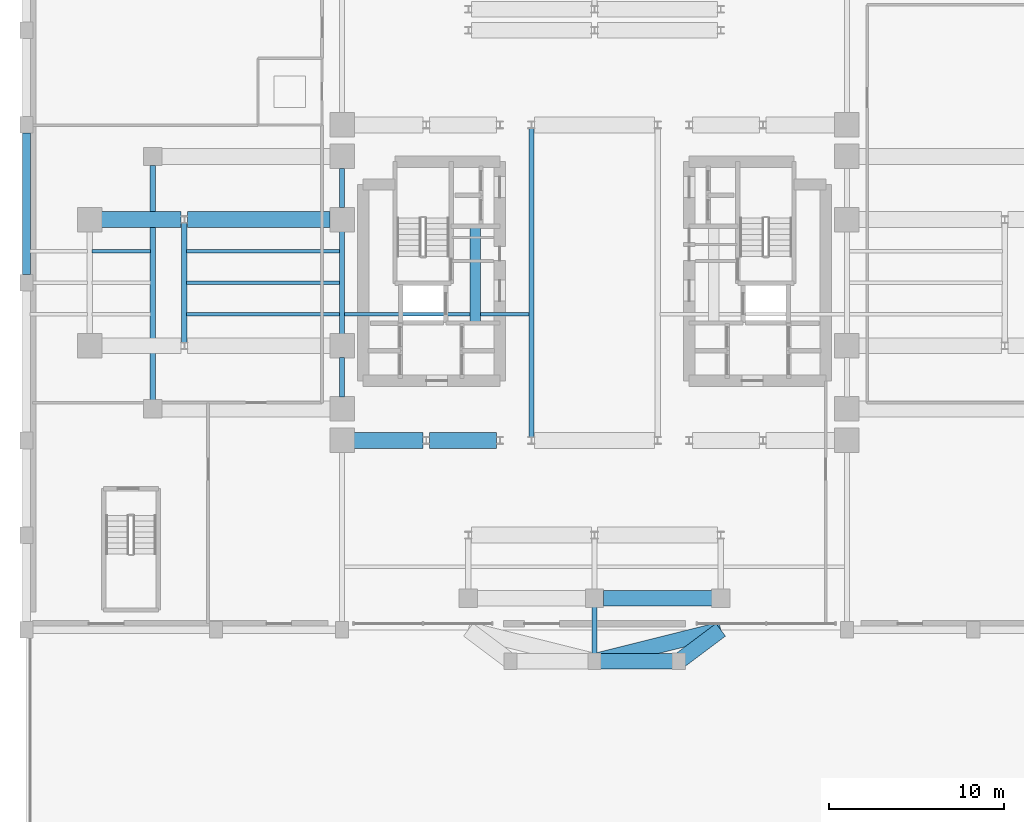
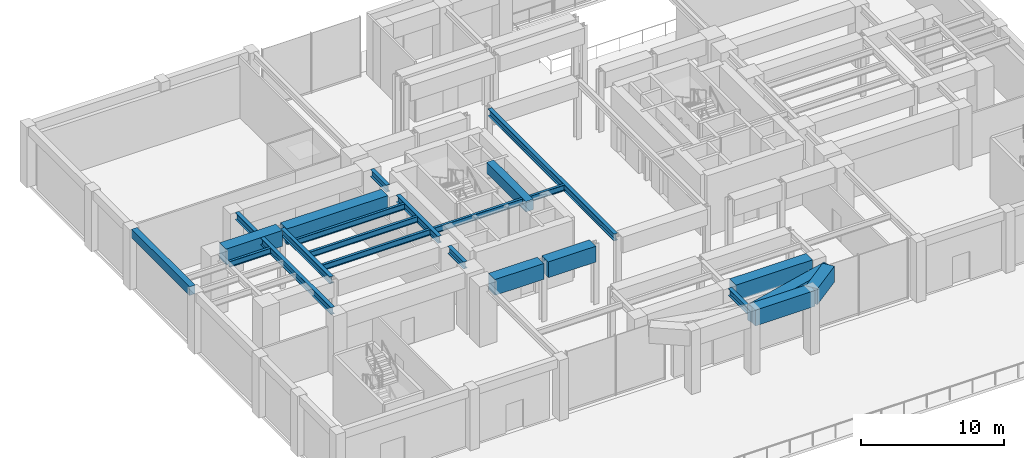
# One storey, part 5 of 17: 22 beams.
"""IFC4 building model written with IfcOpenShell, lengths in metres."""

from ifc_helpers import new_model, si_unit, direction, frame, origin, origin_2d, place, context, subcontext, project, spatial, rectangle, i_section, extrude, source, transform, mapped, material, material_profile, profile_set, type_object, element, save


model = new_model("IFC4")

# Units and contexts
model_context = context("Model", 3, precision=1e-05, world=origin(), true_north=direction((0.0, 1.0)))
body_context = subcontext(model_context, "Body", "Model", "MODEL_VIEW")
ifc_project = project(units=[si_unit("LENGTHUNIT", "METRE"), si_unit("AREAUNIT", "SQUARE_METRE"), si_unit("VOLUMEUNIT", "CUBIC_METRE"), si_unit("PLANEANGLEUNIT", "RADIAN"), si_unit("MASSUNIT", "GRAM", prefix="KILO")], contexts=[model_context])

# Site, building, storey
site_placement = place(None, origin())
site = spatial("IfcSite", under=ifc_project, at=site_placement, CompositionType="ELEMENT")
building_placement = place(site_placement, origin())
building = spatial("IfcBuilding", under=site, at=building_placement, Name="Keilestroom Media Tower", CompositionType="ELEMENT")
storey_placement = place(building_placement, origin())
storey = spatial("IfcBuildingStorey", under=building, at=storey_placement, Name="L00", CompositionType="ELEMENT", Elevation=0.0)

# Beams
ifc_material_1 = material(Name="Concrete C55/67", Category="concrete")
ifc_material_profile_1 = material_profile(ifc_material_1, rectangle(XDim=0.89990234375, YDim=1.35009765625, at=origin_2d()), Name="RC 900x1350")
ifc_profile_set_1 = profile_set([ifc_material_profile_1], Name="Concrete C55/67")
beam_type_1 = type_object("IfcBeamType", Name="Primary-Structural-Girder-RC-900x1350", PredefinedType="BEAM", material=ifc_profile_set_1)
shared_shape_1 = source(origin(), body_context, "Body", "SweptSolid", [
    extrude(rectangle(XDim=0.89990234375, YDim=1.35009765625, at=origin_2d()), origin(), (0.0, 0.0, 1.0), 3.0),
])
beam_1_placement = place(storey_placement, frame((4.800048828125, -21.60009765625, 4.705078125), z_axis=(0.799980468008, 0.600026041773, 0.0), x_axis=(-0.600026041773, 0.799980468008, 0.0)))
element("IfcBeam", 1, at=beam_1_placement, inside=storey, type_object=beam_type_1, Name="L00 South-Lobe Podium Tie Girder 4", PredefinedType="BEAM", context=body_context, shape_type="MappedRepresentation", body=[
    mapped(shared_shape_1, transform((0.0, 0.0, 0.0), x_axis=(1.0, 0.0, 0.0), y_axis=(0.0, 1.0, 0.0), z_axis=(0.0, 0.0, 1.0), scale=1.0)),
])
shared_shape_2 = source(origin(), body_context, "Body", "SweptSolid", [
    extrude(rectangle(XDim=0.89990234375, YDim=1.35009765625, at=origin_2d()), origin(), (0.0, 0.0, 1.0), 7.421630859375),
])
beam_2_placement = place(storey_placement, frame((0.0, -21.60009765625, 4.705078125), z_axis=(0.970140565046, 0.242543365301, 0.0), x_axis=(-0.242543365301, 0.970140565046, 0.0)))
element("IfcBeam", 2, at=beam_2_placement, inside=storey, type_object=beam_type_1, Name="L00 South-Lobe Podium Tie Girder 3", PredefinedType="BEAM", context=body_context, shape_type="MappedRepresentation", body=[
    mapped(shared_shape_2, transform((0.0, 0.0, 0.0), x_axis=(1.0, 0.0, 0.0), y_axis=(0.0, 1.0, 0.0), z_axis=(0.0, 0.0, 1.0), scale=1.0)),
])
shared_shape_3 = source(origin(), body_context, "Body", "SweptSolid", [
    extrude(rectangle(XDim=0.89990234375, YDim=1.35009765625, at=origin_2d()), origin(), (0.0, 0.0, 1.0), 4.800048828125),
])
beam_3_placement = place(storey_placement, frame((0.0, -21.60009765625, 4.705078125), z_axis=(1.0, 0.0, 0.0), x_axis=(0.0, 1.0, 0.0)))
element("IfcBeam", 3, at=beam_3_placement, inside=storey, type_object=beam_type_1, Name="L00 South-Lobe Transverse Tie Girder E", PredefinedType="BEAM", context=body_context, shape_type="MappedRepresentation", body=[
    mapped(shared_shape_3, transform((0.0, 0.0, 0.0), x_axis=(1.0, 0.0, 0.0), y_axis=(0.0, 1.0, 0.0), z_axis=(0.0, 0.0, 1.0), scale=1.0)),
])
ifc_material_2 = material(Name="Concrete C70/85", Category="concrete")
ifc_material_profile_2 = material_profile(ifc_material_2, rectangle(XDim=0.60009765625, YDim=0.89990234375, at=origin_2d()), Name="RC 600x900")
ifc_profile_set_2 = profile_set([ifc_material_profile_2], Name="Concrete C70/85")
beam_type_2 = type_object("IfcBeamType", Name="Core-Coupling-Lintel-Beam-RC-600x900", PredefinedType="LINTEL", material=ifc_profile_set_2)
shared_shape_4 = source(origin(), body_context, "Body", "SweptSolid", [
    extrude(rectangle(XDim=0.60009765625, YDim=0.89990234375, at=origin_2d()), origin(), (0.0, 0.0, 1.0), 5.52001953125),
])
beam_4_placement = place(storey_placement, frame((-6.800048828125, -2.300048828125, 4.699951171875), z_axis=(0.0, 1.0, 0.0), x_axis=(-1.0, 0.0, 0.0)))
element("IfcBeam", 4, at=beam_4_placement, inside=storey, type_object=beam_type_2, Name="L00 Beam CLB-1 CLB-L00-W", PredefinedType="LINTEL", context=body_context, shape_type="MappedRepresentation", body=[
    mapped(shared_shape_4, transform((0.0, 0.0, 0.0), x_axis=(1.0, 0.0, 0.0), y_axis=(0.0, 1.0, 0.0), z_axis=(0.0, 0.0, 1.0), scale=1.0)),
])
shared_shape_5 = source(origin(), body_context, "Body", "SweptSolid", [
    extrude(rectangle(XDim=0.89990234375, YDim=1.35009765625, at=origin_2d()), origin(), (0.0, 0.0, 1.0), 6.190185546875),
])
beam_5_placement = place(storey_placement, frame((0.5048828125, -18.0, 4.47509765625), z_axis=(1.0, 0.0, 0.0), x_axis=(0.0, 1.0, 0.0)))
element("IfcBeam", 5, at=beam_5_placement, inside=storey, type_object=beam_type_1, Name="L00 Beam TG-2 BM-L00-EW-006", PredefinedType="BEAM", context=body_context, shape_type="MappedRepresentation", body=[
    mapped(shared_shape_5, transform((0.0, 0.0, 0.0), x_axis=(1.0, 0.0, 0.0), y_axis=(0.0, 1.0, 0.0), z_axis=(0.0, 0.0, 1.0), scale=1.0)),
])
shared_shape_6 = source(origin(), body_context, "Body", "SweptSolid", [
    extrude(rectangle(XDim=0.89990234375, YDim=1.35009765625, at=origin_2d()), origin(), (0.0, 0.0, 1.0), 3.93701171875),
])
beam_6_placement = place(storey_placement, frame((-13.719970703125, -9.0, 4.47509765625), z_axis=(1.0, 0.0, 0.0), x_axis=(0.0, 1.0, 0.0)))
element("IfcBeam", 6, at=beam_6_placement, inside=storey, type_object=beam_type_1, Name="L00 Beam TG-2 BM-L00-EW-009", PredefinedType="BEAM", context=body_context, shape_type="MappedRepresentation", body=[
    mapped(shared_shape_6, transform((0.0, 0.0, 0.0), x_axis=(1.0, 0.0, 0.0), y_axis=(0.0, 1.0, 0.0), z_axis=(0.0, 0.0, 1.0), scale=1.0)),
])
shared_shape_7 = source(origin(), body_context, "Body", "SweptSolid", [
    extrude(rectangle(XDim=0.89990234375, YDim=1.35009765625, at=origin_2d()), origin(), (0.0, 0.0, 1.0), 3.833984375),
])
beam_7_placement = place(storey_placement, frame((-9.4169921875, -9.0, 4.47509765625), z_axis=(1.0, 0.0, 0.0), x_axis=(0.0, 1.0, 0.0)))
element("IfcBeam", 7, at=beam_7_placement, inside=storey, type_object=beam_type_1, Name="L00 Beam TG-2 BM-L00-EW-010", PredefinedType="BEAM", context=body_context, shape_type="MappedRepresentation", body=[
    mapped(shared_shape_7, transform((0.0, 0.0, 0.0), x_axis=(1.0, 0.0, 0.0), y_axis=(0.0, 1.0, 0.0), z_axis=(0.0, 0.0, 1.0), scale=1.0)),
])
shared_shape_8 = source(origin(), body_context, "Body", "SweptSolid", [
    extrude(rectangle(XDim=0.89990234375, YDim=1.35009765625, at=origin_2d()), origin(), (0.0, 0.0, 1.0), 4.537109375),
])
beam_8_placement = place(storey_placement, frame((-28.1201171875, 3.60009765625, 4.47509765625), z_axis=(1.0, 0.0, 0.0), x_axis=(0.0, 1.0, 0.0)))
element("IfcBeam", 8, at=beam_8_placement, inside=storey, type_object=beam_type_1, Name="L00 Beam TG-2 BM-L00-EW-022", PredefinedType="BEAM", context=body_context, shape_type="MappedRepresentation", body=[
    mapped(shared_shape_8, transform((0.0, 0.0, 0.0), x_axis=(1.0, 0.0, 0.0), y_axis=(0.0, 1.0, 0.0), z_axis=(0.0, 0.0, 1.0), scale=1.0)),
])
shared_shape_9 = source(origin(), body_context, "Body", "SweptSolid", [
    extrude(rectangle(XDim=0.89990234375, YDim=1.35009765625, at=origin_2d()), origin(), (0.0, 0.0, 1.0), 8.136962890625),
])
beam_9_placement = place(storey_placement, frame((-23.217041015625, 3.60009765625, 4.47509765625), z_axis=(1.0, 0.0, 0.0), x_axis=(0.0, 1.0, 0.0)))
element("IfcBeam", 9, at=beam_9_placement, inside=storey, type_object=beam_type_1, Name="L00 Beam TG-2 BM-L00-EW-023", PredefinedType="BEAM", context=body_context, shape_type="MappedRepresentation", body=[
    mapped(shared_shape_9, transform((0.0, 0.0, 0.0), x_axis=(1.0, 0.0, 0.0), y_axis=(0.0, 1.0, 0.0), z_axis=(0.0, 0.0, 1.0), scale=1.0)),
])
ifc_material_3 = material(Name="Precast concrete C40/50", Category="concrete")
ifc_material_profile_3 = material_profile(ifc_material_3, rectangle(XDim=0.449951171875, YDim=0.75, at=origin_2d()), Name="PC 450x750")
ifc_profile_set_3 = profile_set([ifc_material_profile_3], Name="Precast concrete C40/50")
beam_type_3 = type_object("IfcBeamType", Name="Perimeter-Spandrel-Beam-PC-450x750", PredefinedType="SPANDREL", material=ifc_profile_set_3)
shared_shape_10 = source(origin(), body_context, "Body", "SweptSolid", [
    extrude(rectangle(XDim=0.449951171875, YDim=0.75, at=origin_2d()), origin(), (0.0, 0.0, 1.0), 8.08984375),
])
beam_10_placement = place(storey_placement, frame((-32.39990234375, 0.455078125, 4.77490234375), z_axis=(0.0, 1.0, 0.0), x_axis=(-1.0, 0.0, 0.0)))
element("IfcBeam", 10, at=beam_10_placement, inside=storey, type_object=beam_type_3, Name="L00 Beam SPB-1 BM-L00-NS-048", PredefinedType="SPANDREL", context=body_context, shape_type="MappedRepresentation", body=[
    mapped(shared_shape_10, transform((0.0, 0.0, 0.0), x_axis=(1.0, 0.0, 0.0), y_axis=(0.0, 1.0, 0.0), z_axis=(0.0, 0.0, 1.0), scale=1.0)),
])
ifc_material_4 = material(Name="Steel S355", Category="steel")
ifc_material_profile_4 = material_profile(ifc_material_4, i_section(OverallWidth=0.300048828125, OverallDepth=0.60009765625, WebThickness=0.013427734375, FlangeThickness=0.030029296875, at=origin_2d()), Name="HEB 600")
ifc_profile_set_4 = profile_set([ifc_material_profile_4], Name="Steel S355")
beam_type_4 = type_object("IfcBeamType", Name="Primary-Structural-Girder-HEB-600", PredefinedType="BEAM", material=ifc_profile_set_4)
shared_shape_11 = source(origin(), body_context, "Body", "SweptSolid", [
    extrude(i_section(OverallWidth=0.300048828125, OverallDepth=0.60009765625, WebThickness=0.013427734375, FlangeThickness=0.030029296875, at=origin_2d()), origin(), (0.0, 0.0, 1.0), 5.83984375),
])
beam_11_placement = place(storey_placement, frame((-14.39990234375, -2.919921875, 4.85009765625), z_axis=(0.0, 1.0, 0.0), x_axis=(-1.0, 0.0, 0.0)))
element("IfcBeam", 11, at=beam_11_placement, inside=storey, type_object=beam_type_4, Name="L00 Beam BG-4 BM-L00-NS-057", PredefinedType="BEAM", context=body_context, shape_type="MappedRepresentation", body=[
    mapped(shared_shape_11, transform((0.0, 0.0, 0.0), x_axis=(1.0, 0.0, 0.0), y_axis=(0.0, 1.0, 0.0), z_axis=(0.0, 0.0, 1.0), scale=1.0)),
])
shared_shape_12 = source(origin(), body_context, "Body", "SweptSolid", [
    extrude(i_section(OverallWidth=0.300048828125, OverallDepth=0.60009765625, WebThickness=0.013427734375, FlangeThickness=0.030029296875, at=origin_2d()), origin(), (0.0, 0.0, 1.0), 13.39013671875),
])
beam_12_placement = place(storey_placement, frame((-25.199951171875, -6.695068359375, 4.85009765625), z_axis=(0.0, 1.0, 0.0), x_axis=(-1.0, 0.0, 0.0)))
element("IfcBeam", 12, at=beam_12_placement, inside=storey, type_object=beam_type_4, Name="L00 Beam BG-4 BM-L00-NS-052", PredefinedType="BEAM", context=body_context, shape_type="MappedRepresentation", body=[
    mapped(shared_shape_12, transform((0.0, 0.0, 0.0), x_axis=(1.0, 0.0, 0.0), y_axis=(0.0, 1.0, 0.0), z_axis=(0.0, 0.0, 1.0), scale=1.0)),
])
shared_shape_13 = source(origin(), body_context, "Body", "SweptSolid", [
    extrude(i_section(OverallWidth=0.300048828125, OverallDepth=0.60009765625, WebThickness=0.013427734375, FlangeThickness=0.030029296875, at=origin_2d()), origin(), (0.0, 0.0, 1.0), 6.82421875),
])
beam_13_placement = place(storey_placement, frame((-23.39990234375, -3.412109375, 4.85009765625), z_axis=(0.0, 1.0, 0.0), x_axis=(-1.0, 0.0, 0.0)))
element("IfcBeam", 13, at=beam_13_placement, inside=storey, type_object=beam_type_4, Name="L00 Beam BG-4 BM-L00-NS-053", PredefinedType="BEAM", context=body_context, shape_type="MappedRepresentation", body=[
    mapped(shared_shape_13, transform((0.0, 0.0, 0.0), x_axis=(1.0, 0.0, 0.0), y_axis=(0.0, 1.0, 0.0), z_axis=(0.0, 0.0, 1.0), scale=1.0)),
])
shared_shape_14 = source(origin(), body_context, "Body", "SweptSolid", [
    extrude(i_section(OverallWidth=0.300048828125, OverallDepth=0.60009765625, WebThickness=0.013427734375, FlangeThickness=0.030029296875, at=origin_2d()), origin(), (0.0, 0.0, 1.0), 2.239990234375),
])
for number, where, z_axis, x_axis, name in (
    (14, (-14.39990234375, -6.52001953125, 4.85009765625), (0.0, 1.0, 0.0), (-1.0, 0.0, 0.0), "L00 Beam BG-4 BM-L00-NS-056"),
    (15, (-14.39990234375, 4.280029296875, 4.85009765625), (0.0, 1.0, 0.0), (-1.0, 0.0, 0.0), "L00 Beam BG-4 BM-L00-NS-058"),
):
    element("IfcBeam", number, at=place(storey_placement, frame(where, z_axis=z_axis, x_axis=x_axis)), inside=storey, type_object=beam_type_4, Name=name, PredefinedType="BEAM", context=body_context, shape_type="MappedRepresentation", body=[
        mapped(shared_shape_14, transform((0.0, 0.0, 0.0), x_axis=(1.0, 0.0, 0.0), y_axis=(0.0, 1.0, 0.0), z_axis=(0.0, 0.0, 1.0), scale=1.0)),
    ])
shared_shape_15 = source(origin(), body_context, "Body", "SweptSolid", [
    extrude(i_section(OverallWidth=0.300048828125, OverallDepth=0.60009765625, WebThickness=0.013427734375, FlangeThickness=0.030029296875, at=origin_2d()), origin(), (0.0, 0.0, 1.0), 17.6240234375),
])
beam_14_placement = place(storey_placement, frame((-3.60009765625, -8.81201171875, 4.85009765625), z_axis=(0.0, 1.0, 0.0), x_axis=(-1.0, 0.0, 0.0)))
element("IfcBeam", 16, at=beam_14_placement, inside=storey, type_object=beam_type_4, Name="L00 Beam BG-4 BM-L00-NS-065", PredefinedType="BEAM", context=body_context, shape_type="MappedRepresentation", body=[
    mapped(shared_shape_15, transform((0.0, 0.0, 0.0), x_axis=(1.0, 0.0, 0.0), y_axis=(0.0, 1.0, 0.0), z_axis=(0.0, 0.0, 1.0), scale=1.0)),
])
shared_shape_16 = source(origin(), body_context, "Body", "SweptSolid", [
    extrude(i_section(OverallWidth=0.300048828125, OverallDepth=0.60009765625, WebThickness=0.013427734375, FlangeThickness=0.030029296875, at=origin_2d()), origin(), (0.0, 0.0, 1.0), 2.64013671875),
])
beam_15_placement = place(storey_placement, frame((0.0, -21.14501953125, 4.85009765625), z_axis=(0.0, 1.0, 0.0), x_axis=(-1.0, 0.0, 0.0)))
element("IfcBeam", 17, at=beam_15_placement, inside=storey, type_object=beam_type_4, Name="L00 Beam BG-4 BM-L00-NS-066", PredefinedType="BEAM", context=body_context, shape_type="MappedRepresentation", body=[
    mapped(shared_shape_16, transform((0.0, 0.0, 0.0), x_axis=(1.0, 0.0, 0.0), y_axis=(0.0, 1.0, 0.0), z_axis=(0.0, 0.0, 1.0), scale=1.0)),
])
ifc_material_profile_5 = material_profile(ifc_material_4, i_section(OverallWidth=0.199951171875, OverallDepth=0.5, WebThickness=0.01025390625, FlangeThickness=0.01611328125, at=origin_2d()), Name="IPE 500")
ifc_profile_set_5 = profile_set([ifc_material_profile_5], Name="Steel S355")
beam_type_5 = type_object("IfcBeamType", Name="Secondary-Floor-Joist-IPE-500", PredefinedType="JOIST", material=ifc_profile_set_5)
shared_shape_17 = source(origin(), body_context, "Body", "SweptSolid", [
    extrude(i_section(OverallWidth=0.199951171875, OverallDepth=0.5, WebThickness=0.01025390625, FlangeThickness=0.01611328125, at=origin_2d()), origin(), (0.0, 0.0, 1.0), 3.33984375),
])
beam_16_placement = place(storey_placement, frame((-28.669921875, 1.800048828125, 4.89990234375), z_axis=(1.0, 0.0, 0.0), x_axis=(0.0, 1.0, 0.0)))
element("IfcBeam", 18, at=beam_16_placement, inside=storey, type_object=beam_type_5, Name="L00 Beam BJ-2 JST-L00-114", PredefinedType="JOIST", context=body_context, shape_type="MappedRepresentation", body=[
    mapped(shared_shape_17, transform((0.0, 0.0, 0.0), x_axis=(1.0, 0.0, 0.0), y_axis=(0.0, 1.0, 0.0), z_axis=(0.0, 0.0, 1.0), scale=1.0)),
])
shared_shape_18 = source(origin(), body_context, "Body", "SweptSolid", [
    extrude(i_section(OverallWidth=0.199951171875, OverallDepth=0.5, WebThickness=0.01025390625, FlangeThickness=0.01611328125, at=origin_2d()), origin(), (0.0, 0.0, 1.0), 8.739990234375),
])
for number, where, z_axis, x_axis, name in (
    (19, (-23.27001953125, -1.800048828125, 4.89990234375), (1.0, 0.0, 0.0), (0.0, 1.0, 0.0), "L00 Beam BJ-2 JST-L00-097"),
    (20, (-23.27001953125, 0.0, 4.89990234375), (1.0, 0.0, 0.0), (0.0, 1.0, 0.0), "L00 Beam BJ-2 JST-L00-106"),
    (21, (-23.27001953125, 1.800048828125, 4.89990234375), (1.0, 0.0, 0.0), (0.0, 1.0, 0.0), "L00 Beam BJ-2 JST-L00-115"),
):
    element("IfcBeam", number, at=place(storey_placement, frame(where, z_axis=z_axis, x_axis=x_axis)), inside=storey, type_object=beam_type_5, Name=name, PredefinedType="JOIST", context=body_context, shape_type="MappedRepresentation", body=[
        mapped(shared_shape_18, transform((0.0, 0.0, 0.0), x_axis=(1.0, 0.0, 0.0), y_axis=(0.0, 1.0, 0.0), z_axis=(0.0, 0.0, 1.0), scale=1.0)),
    ])
shared_shape_19 = source(origin(), body_context, "Body", "SweptSolid", [
    extrude(i_section(OverallWidth=0.199951171875, OverallDepth=0.5, WebThickness=0.01025390625, FlangeThickness=0.01611328125, at=origin_2d()), origin(), (0.0, 0.0, 1.0), 10.5400390625),
])
beam_17_placement = place(storey_placement, frame((-14.27001953125, -1.800048828125, 4.89990234375), z_axis=(1.0, 0.0, 0.0), x_axis=(0.0, 1.0, 0.0)))
element("IfcBeam", 22, at=beam_17_placement, inside=storey, type_object=beam_type_5, Name="L00 Beam BJ-2 JST-L00-098", PredefinedType="JOIST", context=body_context, shape_type="MappedRepresentation", body=[
    mapped(shared_shape_19, transform((0.0, 0.0, 0.0), x_axis=(1.0, 0.0, 0.0), y_axis=(0.0, 1.0, 0.0), z_axis=(0.0, 0.0, 1.0), scale=1.0)),
])

save(model, "model.ifc")
